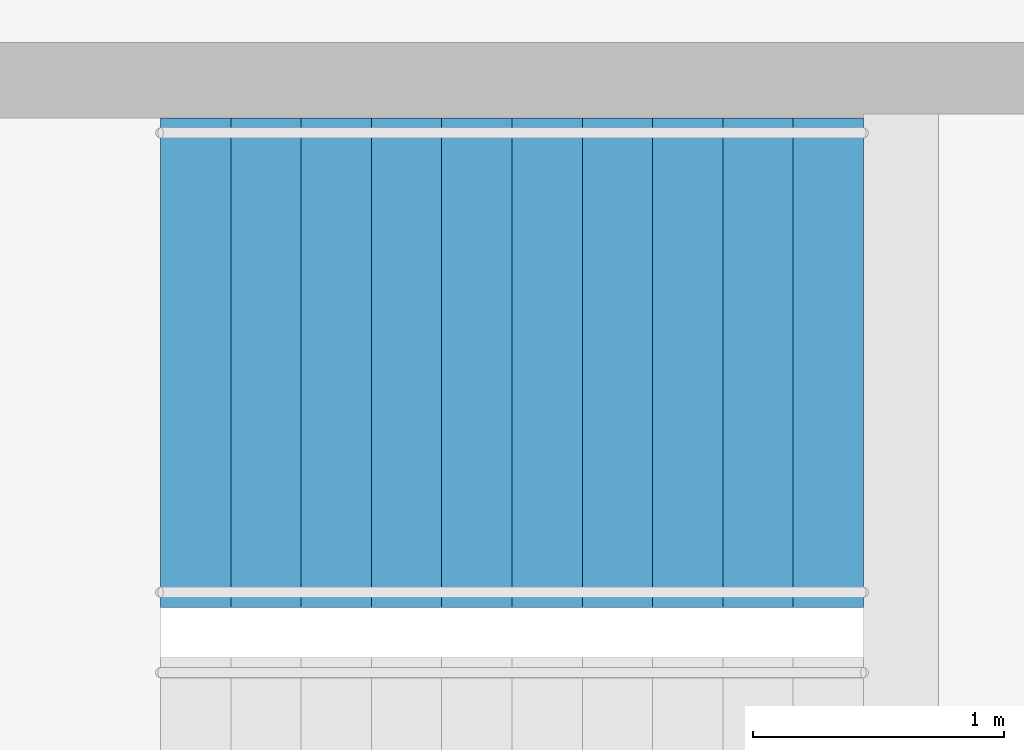
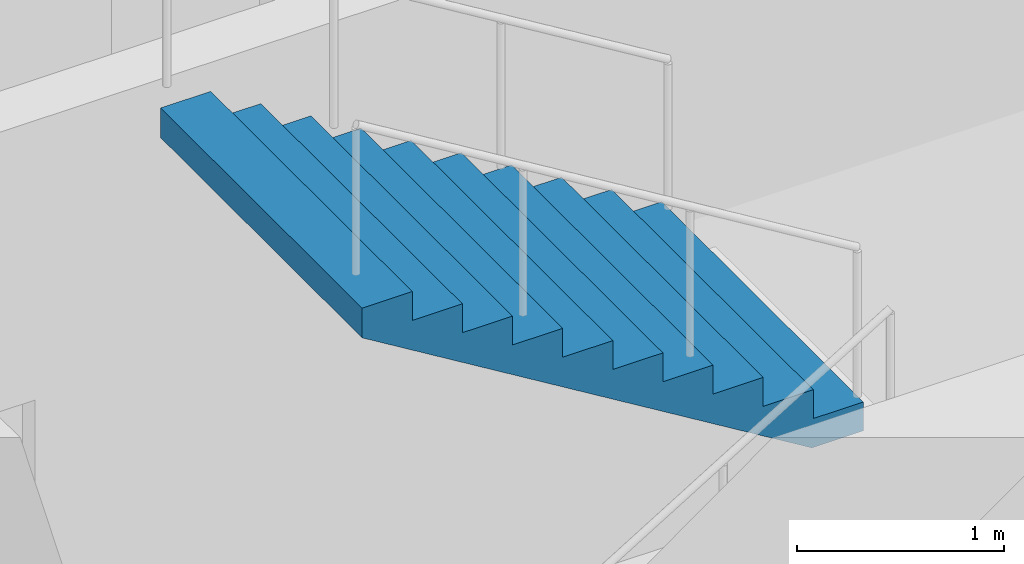
# One storey, part 21 of 24: 1 stair flight, 1 element without a shape of its own.
"""IFC4 building model written with IfcOpenShell, lengths in metres."""

from ifc_helpers import new_model, si_unit, direction, frame, origin, place, context, subcontext, project, spatial, triangles, material, type_object, element, aggregate, save


model = new_model("IFC4")

# Units and contexts
model_context = context("Model", 3, precision=1e-05, world=origin(), true_north=direction((0.0, 1.0)))
body_context = subcontext(model_context, "Body", "Model", "MODEL_VIEW")
ifc_project = project(units=[si_unit("LENGTHUNIT", "METRE"), si_unit("AREAUNIT", "SQUARE_METRE"), si_unit("VOLUMEUNIT", "CUBIC_METRE"), si_unit("PLANEANGLEUNIT", "RADIAN"), si_unit("MASSUNIT", "GRAM", prefix="KILO")], contexts=[model_context])

# Site, building, storey
site_placement = place(None, origin())
site = spatial("IfcSite", under=ifc_project, at=site_placement, CompositionType="ELEMENT")
building_placement = place(site_placement, origin())
building = spatial("IfcBuilding", under=site, at=building_placement, Name="Orbita Commons", CompositionType="ELEMENT")
storey_placement = place(building_placement, frame((0.0, 0.0, 239.050048828125)))
storey = spatial("IfcBuildingStorey", under=building, at=storey_placement, Name="L59", CompositionType="ELEMENT", Elevation=239.050048828125)

# Stair, stair flight
ifc_material_1 = material(Name="Precast concrete C40/50", Category="concrete")
stair_type = type_object("IfcStairType", Name="Exit stair S1 2 flights 11 risers 170", PredefinedType="HALF_TURN_STAIR", material=ifc_material_1)
stair_placement = place(storey_placement, origin())
stair = element("IfcStair", 1, at=stair_placement, inside=storey, type_object=stair_type, Name="Exit stair S1 L59", PredefinedType="HALF_TURN_STAIR")
ifc_material_2 = material(Name="Precast concrete C40/50", Category="concrete")
stair_flight_type = type_object("IfcStairFlightType", Name="Stair flight 11 risers 170 x 280", PredefinedType="STRAIGHT", material=ifc_material_2)
stair_flight_placement = place(storey_placement, frame((23.25, 29.27490234375, 1.875), z_axis=(0.0, 0.0, 1.0), x_axis=(-1.0, 0.0, 0.0)))
stair_flight = element("IfcStairFlight", 2, at=stair_flight_placement, type_object=stair_flight_type, Name="S1 flight 2", NumberOfRisers=11, NumberOfTreads=10, PredefinedType="STRAIGHT", RiserHeight=0.170454545, TreadLength=0.28, context=body_context, shape_type="Tessellation", body=[
    triangles([(0.0, 0.974976, 0.0), (0.0, 0.974976, 0.021307), (0.0, 0.81248, 0.021307), (0.0, 0.81248, 0.0), (0.0, 0.649984, 0.021307), (0.0, 0.649984, 0.0), (0.0, 0.487488, 0.021307), (0.0, 0.487488, 0.0), (0.0, 0.324992, 0.021307), (0.0, 0.324992, 0.0), (0.0, 0.162496, 0.021307), (0.0, 0.162496, 0.0), (0.0, 0.0, 0.021307), (0.0, 0.0, 0.0), (0.0, -0.162496, 0.021307), (0.0, -0.162496, 0.0), (0.0, -0.324992, 0.021307), (0.0, -0.324992, 0.0), (0.0, -0.487488, 0.021307), (0.0, -0.487488, 0.0), (0.0, -0.649984, 0.021307), (0.0, -0.649984, 0.0), (0.0, -0.81248, 0.021307), (0.0, -0.81248, 0.0), (0.0, -0.974976, 0.021307), (0.0, -0.974976, 0.0), (0.0, 0.974976, 0.042614), (0.0, 0.81248, 0.042614), (0.0, 0.649984, 0.042614), (0.0, 0.487488, 0.042614), (0.0, 0.324992, 0.042614), (0.0, 0.162496, 0.042614), (0.0, 0.0, 0.042614), (0.0, -0.162496, 0.042614), (0.0, -0.324992, 0.042614), (0.0, -0.487488, 0.042614), (0.0, -0.649984, 0.042614), (0.0, -0.81248, 0.042614), (0.0, -0.974976, 0.042614), (0.0, 0.974976, 0.06392), (0.0, 0.81248, 0.06392), (0.0, 0.649984, 0.06392), (0.0, 0.487488, 0.06392), (0.0, 0.324992, 0.06392), (0.0, 0.162496, 0.06392), (0.0, 0.0, 0.06392), (0.0, -0.162496, 0.06392), (0.0, -0.324992, 0.06392), (0.0, -0.487488, 0.06392), (0.0, -0.649984, 0.06392), (0.0, -0.81248, 0.06392), (0.0, -0.974976, 0.06392), (0.0, 0.974976, 0.085227), (0.0, 0.81248, 0.085227), (0.0, 0.649984, 0.085227), (0.0, 0.487488, 0.085227), (0.0, 0.324992, 0.085227), (0.0, 0.162496, 0.085227), (0.0, 0.0, 0.085227), (0.0, -0.162496, 0.085227), (0.0, -0.324992, 0.085227), (0.0, -0.487488, 0.085227), (0.0, -0.649984, 0.085227), (0.0, -0.81248, 0.085227), (0.0, -0.974976, 0.085227), (0.0, 0.974976, 0.106534), (0.0, 0.81248, 0.106534), (0.0, 0.649984, 0.106534), (0.0, 0.487488, 0.106534), (0.0, 0.324992, 0.106534), (0.0, 0.162496, 0.106534), (0.0, 0.0, 0.106534), (0.0, -0.162496, 0.106534), (0.0, -0.324992, 0.106534), (0.0, -0.487488, 0.106534), (0.0, -0.649984, 0.106534), (0.0, -0.81248, 0.106534), (0.0, -0.974976, 0.106534), (0.0, 0.974976, 0.127841), (0.0, 0.81248, 0.127841), (0.0, 0.649984, 0.127841), (0.0, 0.487488, 0.127841), (0.0, 0.324992, 0.127841), (0.0, 0.162496, 0.127841), (0.0, 0.0, 0.127841), (0.0, -0.162496, 0.127841), (0.0, -0.324992, 0.127841), (0.0, -0.487488, 0.127841), (0.0, -0.649984, 0.127841), (0.0, -0.81248, 0.127841), (0.0, -0.974976, 0.127841), (0.0, 0.974976, 0.149148), (0.0, 0.81248, 0.149148), (0.0, 0.649984, 0.149148), (0.0, 0.487488, 0.149148), (0.0, 0.324992, 0.149148), (0.0, 0.162496, 0.149148), (0.0, 0.0, 0.149148), (0.0, -0.162496, 0.149148), (0.0, -0.324992, 0.149148), (0.0, -0.487488, 0.149148), (0.0, -0.649984, 0.149148), (0.0, -0.81248, 0.149148), (0.0, -0.974976, 0.149148), (0.0, 0.974976, 0.170455), (0.0, 0.81248, 0.170455), (0.0, 0.649984, 0.170455), (0.0, 0.487488, 0.170455), (0.0, 0.324992, 0.170455), (0.0, 0.162496, 0.170455), (0.0, 0.0, 0.170455), (0.0, -0.162496, 0.170455), (0.0, -0.324992, 0.170455), (0.0, -0.487488, 0.170455), (0.0, -0.649984, 0.170455), (0.0, -0.81248, 0.170455), (0.0, -0.974976, 0.170455), (0.28, 0.974976, 0.170455), (0.28, 0.81248, 0.170455), (0.28, 0.649984, 0.170455), (0.28, 0.487488, 0.170455), (0.28, 0.324992, 0.170455), (0.28, 0.162496, 0.170455), (0.28, 0.0, 0.170455), (0.28, -0.162496, 0.170455), (0.28, -0.324992, 0.170455), (0.28, -0.487488, 0.170455), (0.28, -0.649984, 0.170455), (0.28, -0.81248, 0.170455), (0.28, -0.974976, 0.170455), (0.28, 0.974976, 0.340909), (0.28, 0.81248, 0.340909), (0.28, 0.649984, 0.340909), (0.28, 0.487488, 0.340909), (0.28, 0.324992, 0.340909), (0.28, 0.162496, 0.340909), (0.28, 0.0, 0.340909), (0.28, -0.162496, 0.340909), (0.28, -0.324992, 0.340909), (0.28, -0.487488, 0.340909), (0.28, -0.649984, 0.340909), (0.28, -0.81248, 0.340909), (0.28, -0.974976, 0.340909), (0.56, 0.974976, 0.340909), (0.56, 0.81248, 0.340909), (0.56, 0.649984, 0.340909), (0.56, 0.487488, 0.340909), (0.56, 0.324992, 0.340909), (0.56, 0.162496, 0.340909), (0.56, 0.0, 0.340909), (0.56, -0.162496, 0.340909), (0.56, -0.324992, 0.340909), (0.56, -0.487488, 0.340909), (0.56, -0.649984, 0.340909), (0.56, -0.81248, 0.340909), (0.56, -0.974976, 0.340909), (0.56, 0.974976, 0.511364), (0.56, 0.81248, 0.511364), (0.56, 0.649984, 0.511364), (0.56, 0.487488, 0.511364), (0.56, 0.324992, 0.511364), (0.56, 0.162496, 0.511364), (0.56, 0.0, 0.511364), (0.56, -0.162496, 0.511364), (0.56, -0.324992, 0.511364), (0.56, -0.487488, 0.511364), (0.56, -0.649984, 0.511364), (0.56, -0.81248, 0.511364), (0.56, -0.974976, 0.511364), (0.84, 0.974976, 0.511364), (0.84, 0.81248, 0.511364), (0.84, 0.649984, 0.511364), (0.84, 0.487488, 0.511364), (0.84, 0.324992, 0.511364), (0.84, 0.162496, 0.511364), (0.84, 0.0, 0.511364), (0.84, -0.162496, 0.511364), (0.84, -0.324992, 0.511364), (0.84, -0.487488, 0.511364), (0.84, -0.649984, 0.511364), (0.84, -0.81248, 0.511364), (0.84, -0.974976, 0.511364), (0.84, 0.974976, 0.681818), (0.84, 0.81248, 0.681818), (0.84, 0.649984, 0.681818), (0.84, 0.487488, 0.681818), (0.84, 0.324992, 0.681818), (0.84, 0.162496, 0.681818), (0.84, 0.0, 0.681818), (0.84, -0.162496, 0.681818), (0.84, -0.324992, 0.681818), (0.84, -0.487488, 0.681818), (0.84, -0.649984, 0.681818), (0.84, -0.81248, 0.681818), (0.84, -0.974976, 0.681818), (1.12, 0.974976, 0.681818), (1.12, 0.81248, 0.681818), (1.12, 0.649984, 0.681818), (1.12, 0.487488, 0.681818), (1.12, 0.324992, 0.681818), (1.12, 0.162496, 0.681818), (1.12, 0.0, 0.681818), (1.12, -0.162496, 0.681818), (1.12, -0.324992, 0.681818), (1.12, -0.487488, 0.681818), (1.12, -0.649984, 0.681818), (1.12, -0.81248, 0.681818), (1.12, -0.974976, 0.681818), (1.12, 0.974976, 0.852273), (1.12, 0.81248, 0.852273), (1.12, 0.649984, 0.852273), (1.12, 0.487488, 0.852273), (1.12, 0.324992, 0.852273), (1.12, 0.162496, 0.852273), (1.12, 0.0, 0.852273), (1.12, -0.162496, 0.852273), (1.12, -0.324992, 0.852273), (1.12, -0.487488, 0.852273), (1.12, -0.649984, 0.852273), (1.12, -0.81248, 0.852273), (1.12, -0.974976, 0.852273), (1.4, 0.974976, 0.852273), (1.4, 0.81248, 0.852273), (1.4, 0.649984, 0.852273), (1.4, 0.487488, 0.852273), (1.4, 0.324992, 0.852273), (1.4, 0.162496, 0.852273), (1.4, 0.0, 0.852273), (1.4, -0.162496, 0.852273), (1.4, -0.324992, 0.852273), (1.4, -0.487488, 0.852273), (1.4, -0.649984, 0.852273), (1.4, -0.81248, 0.852273), (1.4, -0.974976, 0.852273), (1.4, 0.974976, 1.022727), (1.4, 0.81248, 1.022727), (1.4, 0.649984, 1.022727), (1.4, 0.487488, 1.022727), (1.4, 0.324992, 1.022727), (1.4, 0.162496, 1.022727), (1.4, 0.0, 1.022727), (1.4, -0.162496, 1.022727), (1.4, -0.324992, 1.022727), (1.4, -0.487488, 1.022727), (1.4, -0.649984, 1.022727), (1.4, -0.81248, 1.022727), (1.4, -0.974976, 1.022727), (1.68, 0.974976, 1.022727), (1.68, 0.81248, 1.022727), (1.68, 0.649984, 1.022727), (1.68, 0.487488, 1.022727), (1.68, 0.324992, 1.022727), (1.68, 0.162496, 1.022727), (1.68, 0.0, 1.022727), (1.68, -0.162496, 1.022727), (1.68, -0.324992, 1.022727), (1.68, -0.487488, 1.022727), (1.68, -0.649984, 1.022727), (1.68, -0.81248, 1.022727), (1.68, -0.974976, 1.022727), (1.68, 0.974976, 1.193182), (1.68, 0.81248, 1.193182), (1.68, 0.649984, 1.193182), (1.68, 0.487488, 1.193182), (1.68, 0.324992, 1.193182), (1.68, 0.162496, 1.193182), (1.68, 0.0, 1.193182), (1.68, -0.162496, 1.193182), (1.68, -0.324992, 1.193182), (1.68, -0.487488, 1.193182), (1.68, -0.649984, 1.193182), (1.68, -0.81248, 1.193182), (1.68, -0.974976, 1.193182), (1.96, 0.974976, 1.193182), (1.96, 0.81248, 1.193182), (1.96, 0.649984, 1.193182), (1.96, 0.487488, 1.193182), (1.96, 0.324992, 1.193182), (1.96, 0.162496, 1.193182), (1.96, 0.0, 1.193182), (1.96, -0.162496, 1.193182), (1.96, -0.324992, 1.193182), (1.96, -0.487488, 1.193182), (1.96, -0.649984, 1.193182), (1.96, -0.81248, 1.193182), (1.96, -0.974976, 1.193182), (1.96, 0.974976, 1.363636), (1.96, 0.81248, 1.363636), (1.96, 0.649984, 1.363636), (1.96, 0.487488, 1.363636), (1.96, 0.324992, 1.363636), (1.96, 0.162496, 1.363636), (1.96, 0.0, 1.363636), (1.96, -0.162496, 1.363636), (1.96, -0.324992, 1.363636), (1.96, -0.487488, 1.363636), (1.96, -0.649984, 1.363636), (1.96, -0.81248, 1.363636), (1.96, -0.974976, 1.363636), (2.24, 0.974976, 1.363636), (2.24, 0.81248, 1.363636), (2.24, 0.649984, 1.363636), (2.24, 0.487488, 1.363636), (2.24, 0.324992, 1.363636), (2.24, 0.162496, 1.363636), (2.24, 0.0, 1.363636), (2.24, -0.162496, 1.363636), (2.24, -0.324992, 1.363636), (2.24, -0.487488, 1.363636), (2.24, -0.649984, 1.363636), (2.24, -0.81248, 1.363636), (2.24, -0.974976, 1.363636), (2.24, 0.974976, 1.534091), (2.24, 0.81248, 1.534091), (2.24, 0.649984, 1.534091), (2.24, 0.487488, 1.534091), (2.24, 0.324992, 1.534091), (2.24, 0.162496, 1.534091), (2.24, 0.0, 1.534091), (2.24, -0.162496, 1.534091), (2.24, -0.324992, 1.534091), (2.24, -0.487488, 1.534091), (2.24, -0.649984, 1.534091), (2.24, -0.81248, 1.534091), (2.24, -0.974976, 1.534091), (2.52, 0.974976, 1.534091), (2.52, 0.81248, 1.534091), (2.52, 0.649984, 1.534091), (2.52, 0.487488, 1.534091), (2.52, 0.324992, 1.534091), (2.52, 0.162496, 1.534091), (2.52, 0.0, 1.534091), (2.52, -0.162496, 1.534091), (2.52, -0.324992, 1.534091), (2.52, -0.487488, 1.534091), (2.52, -0.649984, 1.534091), (2.52, -0.81248, 1.534091), (2.52, -0.974976, 1.534091), (2.52, 0.974976, 1.704545), (2.52, 0.81248, 1.704545), (2.52, 0.649984, 1.704545), (2.52, 0.487488, 1.704545), (2.52, 0.324992, 1.704545), (2.52, 0.162496, 1.704545), (2.52, 0.0, 1.704545), (2.52, -0.162496, 1.704545), (2.52, -0.324992, 1.704545), (2.52, -0.487488, 1.704545), (2.52, -0.649984, 1.704545), (2.52, -0.81248, 1.704545), (2.52, -0.974976, 1.704545), (2.8, 0.974976, 1.704545), (2.8, 0.81248, 1.704545), (2.8, 0.649984, 1.704545), (2.8, 0.487488, 1.704545), (2.8, 0.324992, 1.704545), (2.8, 0.162496, 1.704545), (2.8, 0.0, 1.704545), (2.8, -0.162496, 1.704545), (2.8, -0.324992, 1.704545), (2.8, -0.487488, 1.704545), (2.8, -0.649984, 1.704545), (2.8, -0.81248, 1.704545), (2.8, -0.974976, 1.704545), (2.8, 0.974976, 1.682609), (2.8, 0.81248, 1.682609), (2.8, 0.649984, 1.682609), (2.8, 0.487488, 1.682609), (2.8, 0.324992, 1.682609), (2.8, 0.162496, 1.682609), (2.8, 0.0, 1.682609), (2.8, -0.162496, 1.682609), (2.8, -0.324992, 1.682609), (2.8, -0.487488, 1.682609), (2.8, -0.649984, 1.682609), (2.8, -0.81248, 1.682609), (2.8, -0.974976, 1.682609), (2.8, 0.974976, 1.660672), (2.8, 0.81248, 1.660672), (2.8, 0.649984, 1.660672), (2.8, 0.487488, 1.660672), (2.8, 0.324992, 1.660672), (2.8, 0.162496, 1.660672), (2.8, 0.0, 1.660672), (2.8, -0.162496, 1.660672), (2.8, -0.324992, 1.660672), (2.8, -0.487488, 1.660672), (2.8, -0.649984, 1.660672), (2.8, -0.81248, 1.660672), (2.8, -0.974976, 1.660672), (2.8, 0.974976, 1.638735), (2.8, 0.81248, 1.638735), (2.8, 0.649984, 1.638735), (2.8, 0.487488, 1.638735), (2.8, 0.324992, 1.638735), (2.8, 0.162496, 1.638735), (2.8, 0.0, 1.638735), (2.8, -0.162496, 1.638735), (2.8, -0.324992, 1.638735), (2.8, -0.487488, 1.638735), (2.8, -0.649984, 1.638735), (2.8, -0.81248, 1.638735), (2.8, -0.974976, 1.638735), (2.8, 0.974976, 1.616798), (2.8, 0.81248, 1.616798), (2.8, 0.649984, 1.616798), (2.8, 0.487488, 1.616798), (2.8, 0.324992, 1.616798), (2.8, 0.162496, 1.616798), (2.8, 0.0, 1.616798), (2.8, -0.162496, 1.616798), (2.8, -0.324992, 1.616798), (2.8, -0.487488, 1.616798), (2.8, -0.649984, 1.616798), (2.8, -0.81248, 1.616798), (2.8, -0.974976, 1.616798), (2.8, 0.974976, 1.594861), (2.8, 0.81248, 1.594861), (2.8, 0.649984, 1.594861), (2.8, 0.487488, 1.594861), (2.8, 0.324992, 1.594861), (2.8, 0.162496, 1.594861), (2.8, 0.0, 1.594861), (2.8, -0.162496, 1.594861), (2.8, -0.324992, 1.594861), (2.8, -0.487488, 1.594861), (2.8, -0.649984, 1.594861), (2.8, -0.81248, 1.594861), (2.8, -0.974976, 1.594861), (2.8, 0.974976, 1.572925), (2.8, 0.81248, 1.572925), (2.8, 0.649984, 1.572925), (2.8, 0.487488, 1.572925), (2.8, 0.324992, 1.572925), (2.8, 0.162496, 1.572925), (2.8, 0.0, 1.572925), (2.8, -0.162496, 1.572925), (2.8, -0.324992, 1.572925), (2.8, -0.487488, 1.572925), (2.8, -0.649984, 1.572925), (2.8, -0.81248, 1.572925), (2.8, -0.974976, 1.572925), (2.8, 0.974976, 1.550988), (2.8, 0.81248, 1.550988), (2.8, 0.649984, 1.550988), (2.8, 0.487488, 1.550988), (2.8, 0.324992, 1.550988), (2.8, 0.162496, 1.550988), (2.8, 0.0, 1.550988), (2.8, -0.162496, 1.550988), (2.8, -0.324992, 1.550988), (2.8, -0.487488, 1.550988), (2.8, -0.649984, 1.550988), (2.8, -0.81248, 1.550988), (2.8, -0.974976, 1.550988), (2.8, 0.974976, 1.529051), (2.8, 0.81248, 1.529051), (2.8, 0.649984, 1.529051), (2.8, 0.487488, 1.529051), (2.8, 0.324992, 1.529051), (2.8, 0.162496, 1.529051), (2.8, 0.0, 1.529051), (2.8, -0.162496, 1.529051), (2.8, -0.324992, 1.529051), (2.8, -0.487488, 1.529051), (2.8, -0.649984, 1.529051), (2.8, -0.81248, 1.529051), (2.8, -0.974976, 1.529051), (0.288279, 0.974976, 0.0), (0.288279, 0.81248, 0.0), (0.288279, 0.649984, 0.0), (0.288279, 0.487488, 0.0), (0.288279, 0.324992, 0.0), (0.288279, 0.162496, 0.0), (0.288279, 0.0, 0.0), (0.288279, -0.162496, 0.0), (0.288279, -0.324992, 0.0), (0.288279, -0.487488, 0.0), (0.288279, -0.649984, 0.0), (0.288279, -0.81248, 0.0), (0.288279, -0.974976, 0.0)], [[3, 2, 1], [4, 3, 1], [5, 3, 4], [6, 5, 4], [7, 5, 6], [8, 7, 6], [9, 7, 8], [10, 9, 8], [11, 9, 10], [12, 11, 10], [13, 11, 12], [14, 13, 12], [15, 13, 14], [16, 15, 14], [17, 15, 16], [18, 17, 16], [19, 17, 18], [20, 19, 18], [21, 19, 20], [22, 21, 20], [23, 21, 22], [24, 23, 22], [25, 23, 24], [26, 25, 24], [28, 27, 2], [3, 28, 2], [29, 28, 3], [5, 29, 3], [30, 29, 5], [7, 30, 5], [31, 30, 7], [9, 31, 7], [32, 31, 9], [11, 32, 9], [33, 32, 11], [13, 33, 11], [34, 33, 13], [15, 34, 13], [35, 34, 15], [17, 35, 15], [36, 35, 17], [19, 36, 17], [37, 36, 19], [21, 37, 19], [38, 37, 21], [23, 38, 21], [39, 38, 23], [25, 39, 23], [41, 40, 27], [28, 41, 27], [42, 41, 28], [29, 42, 28], [43, 42, 29], [30, 43, 29], [44, 43, 30], [31, 44, 30], [45, 44, 31], [32, 45, 31], [46, 45, 32], [33, 46, 32], [47, 46, 33], [34, 47, 33], [48, 47, 34], [35, 48, 34], [49, 48, 35], [36, 49, 35], [50, 49, 36], [37, 50, 36], [51, 50, 37], [38, 51, 37], [52, 51, 38], [39, 52, 38], [54, 53, 40], [41, 54, 40], [55, 54, 41], [42, 55, 41], [56, 55, 42], [43, 56, 42], [57, 56, 43], [44, 57, 43], [58, 57, 44], [45, 58, 44], [59, 58, 45], [46, 59, 45], [60, 59, 46], [47, 60, 46], [61, 60, 47], [48, 61, 47], [62, 61, 48], [49, 62, 48], [63, 62, 49], [50, 63, 49], [64, 63, 50], [51, 64, 50], [65, 64, 51], [52, 65, 51], [67, 66, 53], [54, 67, 53], [68, 67, 54], [55, 68, 54], [69, 68, 55], [56, 69, 55], [70, 69, 56], [57, 70, 56], [71, 70, 57], [58, 71, 57], [72, 71, 58], [59, 72, 58], [73, 72, 59], [60, 73, 59], [74, 73, 60], [61, 74, 60], [75, 74, 61], [62, 75, 61], [76, 75, 62], [63, 76, 62], [77, 76, 63], [64, 77, 63], [78, 77, 64], [65, 78, 64], [80, 79, 66], [67, 80, 66], [81, 80, 67], [68, 81, 67], [82, 81, 68], [69, 82, 68], [83, 82, 69], [70, 83, 69], [84, 83, 70], [71, 84, 70], [85, 84, 71], [72, 85, 71], [86, 85, 72], [73, 86, 72], [87, 86, 73], [74, 87, 73], [88, 87, 74], [75, 88, 74], [89, 88, 75], [76, 89, 75], [90, 89, 76], [77, 90, 76], [91, 90, 77], [78, 91, 77], [93, 92, 79], [80, 93, 79], [94, 93, 80], [81, 94, 80], [95, 94, 81], [82, 95, 81], [96, 95, 82], [83, 96, 82], [97, 96, 83], [84, 97, 83], [98, 97, 84], [85, 98, 84], [99, 98, 85], [86, 99, 85], [100, 99, 86], [87, 100, 86], [101, 100, 87], [88, 101, 87], [102, 101, 88], [89, 102, 88], [103, 102, 89], [90, 103, 89], [104, 103, 90], [91, 104, 90], [106, 105, 92], [93, 106, 92], [107, 106, 93], [94, 107, 93], [108, 107, 94], [95, 108, 94], [109, 108, 95], [96, 109, 95], [110, 109, 96], [97, 110, 96], [111, 110, 97], [98, 111, 97], [112, 111, 98], [99, 112, 98], [113, 112, 99], [100, 113, 99], [114, 113, 100], [101, 114, 100], [115, 114, 101], [102, 115, 101], [116, 115, 102], [103, 116, 102], [117, 116, 103], [104, 117, 103], [119, 118, 105], [106, 119, 105], [120, 119, 106], [107, 120, 106], [121, 120, 107], [108, 121, 107], [122, 121, 108], [109, 122, 108], [123, 122, 109], [110, 123, 109], [124, 123, 110], [111, 124, 110], [125, 124, 111], [112, 125, 111], [126, 125, 112], [113, 126, 112], [127, 126, 113], [114, 127, 113], [128, 127, 114], [115, 128, 114], [129, 128, 115], [116, 129, 115], [130, 129, 116], [117, 130, 116], [132, 131, 118], [119, 132, 118], [133, 132, 119], [120, 133, 119], [134, 133, 120], [121, 134, 120], [135, 134, 121], [122, 135, 121], [136, 135, 122], [123, 136, 122], [137, 136, 123], [124, 137, 123], [138, 137, 124], [125, 138, 124], [139, 138, 125], [126, 139, 125], [140, 139, 126], [127, 140, 126], [141, 140, 127], [128, 141, 127], [142, 141, 128], [129, 142, 128], [143, 142, 129], [130, 143, 129], [145, 144, 131], [132, 145, 131], [146, 145, 132], [133, 146, 132], [147, 146, 133], [134, 147, 133], [148, 147, 134], [135, 148, 134], [149, 148, 135], [136, 149, 135], [150, 149, 136], [137, 150, 136], [151, 150, 137], [138, 151, 137], [152, 151, 138], [139, 152, 138], [153, 152, 139], [140, 153, 139], [154, 153, 140], [141, 154, 140], [155, 154, 141], [142, 155, 141], [156, 155, 142], [143, 156, 142], [158, 157, 144], [145, 158, 144], [159, 158, 145], [146, 159, 145], [160, 159, 146], [147, 160, 146], [161, 160, 147], [148, 161, 147], [162, 161, 148], [149, 162, 148], [163, 162, 149], [150, 163, 149], [164, 163, 150], [151, 164, 150], [165, 164, 151], [152, 165, 151], [166, 165, 152], [153, 166, 152], [167, 166, 153], [154, 167, 153], [168, 167, 154], [155, 168, 154], [169, 168, 155], [156, 169, 155], [171, 170, 157], [158, 171, 157], [172, 171, 158], [159, 172, 158], [173, 172, 159], [160, 173, 159], [174, 173, 160], [161, 174, 160], [175, 174, 161], [162, 175, 161], [176, 175, 162], [163, 176, 162], [177, 176, 163], [164, 177, 163], [178, 177, 164], [165, 178, 164], [179, 178, 165], [166, 179, 165], [180, 179, 166], [167, 180, 166], [181, 180, 167], [168, 181, 167], [182, 181, 168], [169, 182, 168], [184, 183, 170], [171, 184, 170], [185, 184, 171], [172, 185, 171], [186, 185, 172], [173, 186, 172], [187, 186, 173], [174, 187, 173], [188, 187, 174], [175, 188, 174], [189, 188, 175], [176, 189, 175], [190, 189, 176], [177, 190, 176], [191, 190, 177], [178, 191, 177], [192, 191, 178], [179, 192, 178], [193, 192, 179], [180, 193, 179], [194, 193, 180], [181, 194, 180], [195, 194, 181], [182, 195, 181], [197, 196, 183], [184, 197, 183], [198, 197, 184], [185, 198, 184], [199, 198, 185], [186, 199, 185], [200, 199, 186], [187, 200, 186], [201, 200, 187], [188, 201, 187], [202, 201, 188], [189, 202, 188], [203, 202, 189], [190, 203, 189], [204, 203, 190], [191, 204, 190], [205, 204, 191], [192, 205, 191], [206, 205, 192], [193, 206, 192], [207, 206, 193], [194, 207, 193], [208, 207, 194], [195, 208, 194], [210, 209, 196], [197, 210, 196], [211, 210, 197], [198, 211, 197], [212, 211, 198], [199, 212, 198], [213, 212, 199], [200, 213, 199], [214, 213, 200], [201, 214, 200], [215, 214, 201], [202, 215, 201], [216, 215, 202], [203, 216, 202], [217, 216, 203], [204, 217, 203], [218, 217, 204], [205, 218, 204], [219, 218, 205], [206, 219, 205], [220, 219, 206], [207, 220, 206], [221, 220, 207], [208, 221, 207], [223, 222, 209], [210, 223, 209], [224, 223, 210], [211, 224, 210], [225, 224, 211], [212, 225, 211], [226, 225, 212], [213, 226, 212], [227, 226, 213], [214, 227, 213], [228, 227, 214], [215, 228, 214], [229, 228, 215], [216, 229, 215], [230, 229, 216], [217, 230, 216], [231, 230, 217], [218, 231, 217], [232, 231, 218], [219, 232, 218], [233, 232, 219], [220, 233, 219], [234, 233, 220], [221, 234, 220], [236, 235, 222], [223, 236, 222], [237, 236, 223], [224, 237, 223], [238, 237, 224], [225, 238, 224], [239, 238, 225], [226, 239, 225], [240, 239, 226], [227, 240, 226], [241, 240, 227], [228, 241, 227], [242, 241, 228], [229, 242, 228], [243, 242, 229], [230, 243, 229], [244, 243, 230], [231, 244, 230], [245, 244, 231], [232, 245, 231], [246, 245, 232], [233, 246, 232], [247, 246, 233], [234, 247, 233], [249, 248, 235], [236, 249, 235], [250, 249, 236], [237, 250, 236], [251, 250, 237], [238, 251, 237], [252, 251, 238], [239, 252, 238], [253, 252, 239], [240, 253, 239], [254, 253, 240], [241, 254, 240], [255, 254, 241], [242, 255, 241], [256, 255, 242], [243, 256, 242], [257, 256, 243], [244, 257, 243], [258, 257, 244], [245, 258, 244], [259, 258, 245], [246, 259, 245], [260, 259, 246], [247, 260, 246], [262, 261, 248], [249, 262, 248], [263, 262, 249], [250, 263, 249], [264, 263, 250], [251, 264, 250], [265, 264, 251], [252, 265, 251], [266, 265, 252], [253, 266, 252], [267, 266, 253], [254, 267, 253], [268, 267, 254], [255, 268, 254], [269, 268, 255], [256, 269, 255], [270, 269, 256], [257, 270, 256], [271, 270, 257], [258, 271, 257], [272, 271, 258], [259, 272, 258], [273, 272, 259], [260, 273, 259], [275, 274, 261], [262, 275, 261], [276, 275, 262], [263, 276, 262], [277, 276, 263], [264, 277, 263], [278, 277, 264], [265, 278, 264], [279, 278, 265], [266, 279, 265], [280, 279, 266], [267, 280, 266], [281, 280, 267], [268, 281, 267], [282, 281, 268], [269, 282, 268], [283, 282, 269], [270, 283, 269], [284, 283, 270], [271, 284, 270], [285, 284, 271], [272, 285, 271], [286, 285, 272], [273, 286, 272], [288, 287, 274], [275, 288, 274], [289, 288, 275], [276, 289, 275], [290, 289, 276], [277, 290, 276], [291, 290, 277], [278, 291, 277], [292, 291, 278], [279, 292, 278], [293, 292, 279], [280, 293, 279], [294, 293, 280], [281, 294, 280], [295, 294, 281], [282, 295, 281], [296, 295, 282], [283, 296, 282], [297, 296, 283], [284, 297, 283], [298, 297, 284], [285, 298, 284], [299, 298, 285], [286, 299, 285], [301, 300, 287], [288, 301, 287], [302, 301, 288], [289, 302, 288], [303, 302, 289], [290, 303, 289], [304, 303, 290], [291, 304, 290], [305, 304, 291], [292, 305, 291], [306, 305, 292], [293, 306, 292], [307, 306, 293], [294, 307, 293], [308, 307, 294], [295, 308, 294], [309, 308, 295], [296, 309, 295], [310, 309, 296], [297, 310, 296], [311, 310, 297], [298, 311, 297], [312, 311, 298], [299, 312, 298], [314, 313, 300], [301, 314, 300], [315, 314, 301], [302, 315, 301], [316, 315, 302], [303, 316, 302], [317, 316, 303], [304, 317, 303], [318, 317, 304], [305, 318, 304], [319, 318, 305], [306, 319, 305], [320, 319, 306], [307, 320, 306], [321, 320, 307], [308, 321, 307], [322, 321, 308], [309, 322, 308], [323, 322, 309], [310, 323, 309], [324, 323, 310], [311, 324, 310], [325, 324, 311], [312, 325, 311], [327, 326, 313], [314, 327, 313], [328, 327, 314], [315, 328, 314], [329, 328, 315], [316, 329, 315], [330, 329, 316], [317, 330, 316], [331, 330, 317], [318, 331, 317], [332, 331, 318], [319, 332, 318], [333, 332, 319], [320, 333, 319], [334, 333, 320], [321, 334, 320], [335, 334, 321], [322, 335, 321], [336, 335, 322], [323, 336, 322], [337, 336, 323], [324, 337, 323], [338, 337, 324], [325, 338, 324], [340, 339, 326], [327, 340, 326], [341, 340, 327], [328, 341, 327], [342, 341, 328], [329, 342, 328], [343, 342, 329], [330, 343, 329], [344, 343, 330], [331, 344, 330], [345, 344, 331], [332, 345, 331], [346, 345, 332], [333, 346, 332], [347, 346, 333], [334, 347, 333], [348, 347, 334], [335, 348, 334], [349, 348, 335], [336, 349, 335], [350, 349, 336], [337, 350, 336], [351, 350, 337], [338, 351, 337], [353, 352, 339], [340, 353, 339], [354, 353, 340], [341, 354, 340], [355, 354, 341], [342, 355, 341], [356, 355, 342], [343, 356, 342], [357, 356, 343], [344, 357, 343], [358, 357, 344], [345, 358, 344], [359, 358, 345], [346, 359, 345], [360, 359, 346], [347, 360, 346], [361, 360, 347], [348, 361, 347], [362, 361, 348], [349, 362, 348], [363, 362, 349], [350, 363, 349], [364, 363, 350], [351, 364, 350], [366, 365, 352], [353, 366, 352], [367, 366, 353], [354, 367, 353], [368, 367, 354], [355, 368, 354], [369, 368, 355], [356, 369, 355], [370, 369, 356], [357, 370, 356], [371, 370, 357], [358, 371, 357], [372, 371, 358], [359, 372, 358], [373, 372, 359], [360, 373, 359], [374, 373, 360], [361, 374, 360], [375, 374, 361], [362, 375, 361], [376, 375, 362], [363, 376, 362], [377, 376, 363], [364, 377, 363], [379, 378, 365], [366, 379, 365], [380, 379, 366], [367, 380, 366], [381, 380, 367], [368, 381, 367], [382, 381, 368], [369, 382, 368], [383, 382, 369], [370, 383, 369], [384, 383, 370], [371, 384, 370], [385, 384, 371], [372, 385, 371], [386, 385, 372], [373, 386, 372], [387, 386, 373], [374, 387, 373], [388, 387, 374], [375, 388, 374], [389, 388, 375], [376, 389, 375], [390, 389, 376], [377, 390, 376], [392, 391, 378], [379, 392, 378], [393, 392, 379], [380, 393, 379], [394, 393, 380], [381, 394, 380], [395, 394, 381], [382, 395, 381], [396, 395, 382], [383, 396, 382], [397, 396, 383], [384, 397, 383], [398, 397, 384], [385, 398, 384], [399, 398, 385], [386, 399, 385], [400, 399, 386], [387, 400, 386], [401, 400, 387], [388, 401, 387], [402, 401, 388], [389, 402, 388], [403, 402, 389], [390, 403, 389], [405, 404, 391], [392, 405, 391], [406, 405, 392], [393, 406, 392], [407, 406, 393], [394, 407, 393], [408, 407, 394], [395, 408, 394], [409, 408, 395], [396, 409, 395], [410, 409, 396], [397, 410, 396], [411, 410, 397], [398, 411, 397], [412, 411, 398], [399, 412, 398], [413, 412, 399], [400, 413, 399], [414, 413, 400], [401, 414, 400], [415, 414, 401], [402, 415, 401], [416, 415, 402], [403, 416, 402], [418, 417, 404], [405, 418, 404], [419, 418, 405], [406, 419, 405], [420, 419, 406], [407, 420, 406], [421, 420, 407], [408, 421, 407], [422, 421, 408], [409, 422, 408], [423, 422, 409], [410, 423, 409], [424, 423, 410], [411, 424, 410], [425, 424, 411], [412, 425, 411], [426, 425, 412], [413, 426, 412], [427, 426, 413], [414, 427, 413], [428, 427, 414], [415, 428, 414], [429, 428, 415], [416, 429, 415], [431, 430, 417], [418, 431, 417], [432, 431, 418], [419, 432, 418], [433, 432, 419], [420, 433, 419], [434, 433, 420], [421, 434, 420], [435, 434, 421], [422, 435, 421], [436, 435, 422], [423, 436, 422], [437, 436, 423], [424, 437, 423], [438, 437, 424], [425, 438, 424], [439, 438, 425], [426, 439, 425], [440, 439, 426], [427, 440, 426], [441, 440, 427], [428, 441, 427], [442, 441, 428], [429, 442, 428], [444, 443, 430], [431, 444, 430], [445, 444, 431], [432, 445, 431], [446, 445, 432], [433, 446, 432], [447, 446, 433], [434, 447, 433], [448, 447, 434], [435, 448, 434], [449, 448, 435], [436, 449, 435], [450, 449, 436], [437, 450, 436], [451, 450, 437], [438, 451, 437], [452, 451, 438], [439, 452, 438], [453, 452, 439], [440, 453, 439], [454, 453, 440], [441, 454, 440], [455, 454, 441], [442, 455, 441], [457, 456, 443], [444, 457, 443], [458, 457, 444], [445, 458, 444], [459, 458, 445], [446, 459, 445], [460, 459, 446], [447, 460, 446], [461, 460, 447], [448, 461, 447], [462, 461, 448], [449, 462, 448], [463, 462, 449], [450, 463, 449], [464, 463, 450], [451, 464, 450], [465, 464, 451], [452, 465, 451], [466, 465, 452], [453, 466, 452], [467, 466, 453], [454, 467, 453], [468, 467, 454], [455, 468, 454], [470, 469, 456], [457, 470, 456], [471, 470, 457], [458, 471, 457], [472, 471, 458], [459, 472, 458], [473, 472, 459], [460, 473, 459], [474, 473, 460], [461, 474, 460], [475, 474, 461], [462, 475, 461], [476, 475, 462], [463, 476, 462], [477, 476, 463], [464, 477, 463], [478, 477, 464], [465, 478, 464], [479, 478, 465], [466, 479, 465], [480, 479, 466], [467, 480, 466], [481, 480, 467], [468, 481, 467], [4, 1, 469], [470, 4, 469], [6, 4, 470], [471, 6, 470], [8, 6, 471], [472, 8, 471], [10, 8, 472], [473, 10, 472], [12, 10, 473], [474, 12, 473], [14, 12, 474], [475, 14, 474], [16, 14, 475], [476, 16, 475], [18, 16, 476], [477, 18, 476], [20, 18, 477], [478, 20, 477], [22, 20, 478], [479, 22, 478], [24, 22, 479], [480, 24, 479], [26, 24, 480], [481, 26, 480], [456, 469, 1], [26, 481, 468], [443, 456, 1], [26, 468, 455], [430, 443, 1], [26, 455, 442], [417, 430, 1], [26, 442, 429], [404, 417, 1], [26, 429, 416], [391, 404, 1], [26, 416, 403], [378, 391, 1], [26, 403, 390], [365, 378, 1], [26, 390, 377], [339, 352, 365], [377, 364, 351], [326, 339, 365], [377, 351, 338], [300, 313, 326], [338, 325, 312], [300, 326, 365], [377, 338, 312], [274, 287, 300], [312, 299, 286], [274, 300, 365], [377, 312, 286], [248, 261, 274], [286, 273, 260], [248, 274, 365], [377, 286, 260], [222, 235, 248], [260, 247, 234], [222, 248, 365], [377, 260, 234], [196, 209, 222], [234, 221, 208], [196, 222, 365], [377, 234, 208], [170, 183, 196], [208, 195, 182], [170, 196, 365], [377, 208, 182], [144, 157, 170], [182, 169, 156], [144, 170, 365], [377, 182, 156], [118, 131, 144], [156, 143, 130], [118, 144, 365], [377, 156, 130], [118, 365, 1], [26, 377, 130], [92, 105, 118], [130, 117, 104], [79, 92, 118], [130, 104, 91], [66, 79, 118], [130, 91, 78], [53, 66, 118], [130, 78, 65], [40, 53, 118], [130, 65, 52], [27, 40, 118], [130, 52, 39], [2, 27, 118], [130, 39, 25], [1, 2, 118], [130, 25, 26]], closed=True),
])
aggregate(stair, [stair_flight])

save(model, "model.ifc")
